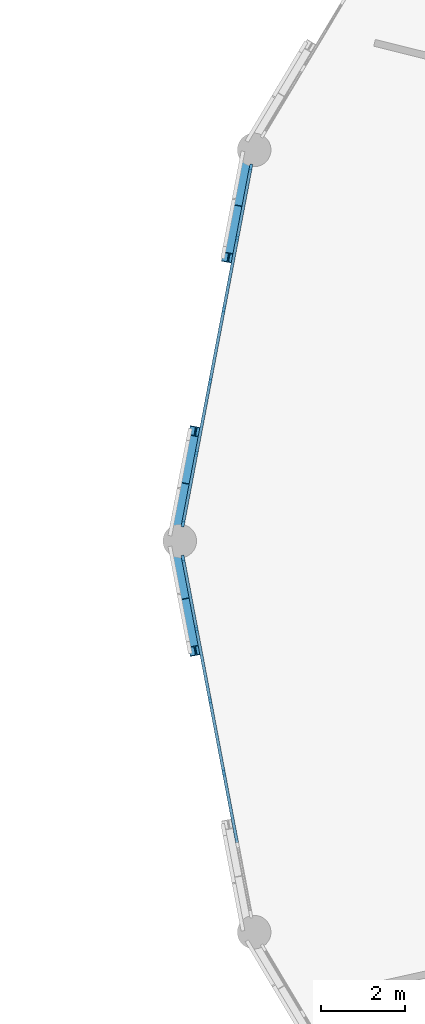
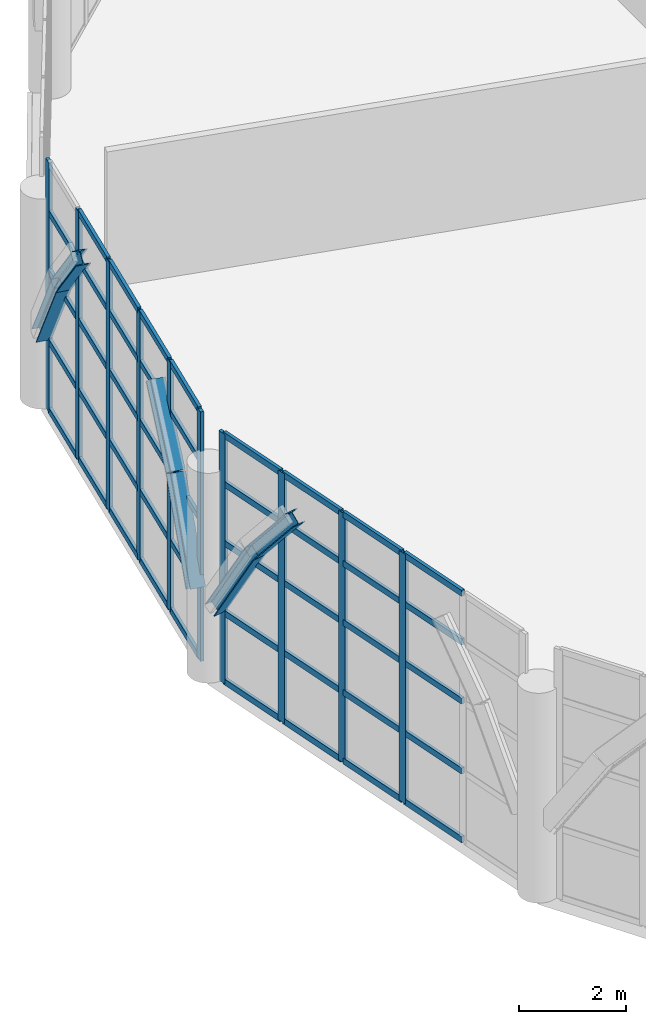
# One storey, part 35 of 109: 54 members, 6 beams, 2 elements without a shape of their own.
"""IFC4 building model written with IfcOpenShell, lengths in metres."""

import ifcopenshell
import ifcopenshell.guid

model = None  # the IFC model being written
_history = None  # IfcOwnerHistory: only IFC2X3 demands one
_inside = {}  # id of a spatial element -> (the spatial element, [elements in it])
_under = {}  # id of a project, library or spatial element -> (it, [spatial elements below it])
_declared = {}  # id of a project -> (the project, [libraries it declares])
_typed = {}  # id of a type object -> (the type object, [elements of that type])
_made_of = {}  # id of a material, layer set ... -> (it, [elements and type objects made of it])


def new_model(schema):
    """Start an empty IFC model of exactly this schema.

    Asked for "IFC4X3", IfcOpenShell would pick the latest addendum, in which some entities
    have other attributes; the version numbers below select the first issue.
    IFC2X3 requires an IfcOwnerHistory on every rooted entity: one is made here for all.
    """
    global model, _history
    if schema == "IFC4X3":
        model = ifcopenshell.file(schema_version=(4, 3, 0, 0))
    else:
        model = ifcopenshell.file(schema=schema)
    _inside.clear()
    _under.clear()
    _declared.clear()
    _typed.clear()
    _made_of.clear()
    _history = None
    if model.schema == "IFC2X3":
        org = make("IfcOrganization", Name="unknown")
        user = make(
            "IfcPersonAndOrganization",
            ThePerson=make("IfcPerson", FamilyName="unknown"),
            TheOrganization=org,
        )
        app = make(
            "IfcApplication",
            ApplicationDeveloper=org,
            Version="unknown",
            ApplicationFullName="unknown",
            ApplicationIdentifier="unknown",
        )
        _history = make(
            "IfcOwnerHistory",
            OwningUser=user,
            OwningApplication=app,
            ChangeAction="ADDED",
            CreationDate=0,
        )
    return model


def make(cls, **values):
    """One entity of the class cls with the attributes given. An attribute that is None is left unset."""
    return model.create_entity(
        cls, **{name: value for name, value in values.items() if value is not None}
    )


def rooted(cls, **values):
    """An entity with a GlobalId (a new one), such as an element, a storey or a relation."""
    return make(cls, GlobalId=ifcopenshell.guid.new(), OwnerHistory=_history, **values)


def si_unit(unit_type, name, prefix=None):
    """IfcSIUnit, for example si_unit("LENGTHUNIT", "METRE", prefix="MILLI")."""
    return make("IfcSIUnit", UnitType=unit_type, Prefix=prefix, Name=name)


def assignment(units):
    """IfcUnitAssignment: the units of a project."""
    return None if units is None else make("IfcUnitAssignment", Units=units)


def point(xyz):
    """IfcCartesianPoint."""
    return None if xyz is None else make("IfcCartesianPoint", Coordinates=xyz)


def direction(xyz):
    """IfcDirection."""
    return None if xyz is None else make("IfcDirection", DirectionRatios=xyz)


def frame(location, z_axis=None, x_axis=None):
    """IfcAxis2Placement3D, a coordinate frame: its origin and axes. An axis left out is left unset."""
    return make(
        "IfcAxis2Placement3D",
        Location=point(location),
        Axis=direction(z_axis),
        RefDirection=direction(x_axis),
    )


def frame_2d(location, x_axis=None):
    """IfcAxis2Placement2D, a coordinate frame in the plane: its origin and x axis."""
    return make(
        "IfcAxis2Placement2D", Location=point(location), RefDirection=direction(x_axis)
    )


def origin():
    """The frame at (0, 0, 0) with its axes left unset."""
    return frame((0.0, 0.0, 0.0))


def origin_2d():
    """The frame at (0, 0) in the plane with its x axis left unset."""
    return frame_2d((0.0, 0.0))


def place(relative_to, where):
    """IfcLocalPlacement: puts the frame where relative to a parent placement (None: the world)."""
    return make(
        "IfcLocalPlacement", PlacementRelTo=relative_to, RelativePlacement=where
    )


def context(
    kind, dimensions, precision=None, world=None, true_north=None, identifier=None
):
    """IfcGeometricRepresentationContext, for example the 3D "Model" context."""
    return make(
        "IfcGeometricRepresentationContext",
        ContextIdentifier=identifier,
        ContextType=kind,
        CoordinateSpaceDimension=dimensions,
        Precision=precision,
        WorldCoordinateSystem=world,
        TrueNorth=true_north,
    )


def subcontext(parent, identifier, kind, view, scale=None):
    """IfcGeometricRepresentationSubContext, for example "Body" below "Model"."""
    return make(
        "IfcGeometricRepresentationSubContext",
        ContextIdentifier=identifier,
        ContextType=kind,
        ParentContext=parent,
        TargetScale=scale,
        TargetView=view,
    )


def project(units=None, contexts=None):
    """IfcProject with its units and contexts."""
    return rooted(
        "IfcProject",
        Name="project",
        RepresentationContexts=contexts,
        UnitsInContext=assignment(units),
    )


def spatial(cls, under=None, at=None, **own):
    """A site, building, storey or space (cls), placed at a placement, below another one or the project."""
    s = rooted(cls, ObjectPlacement=at, **own)
    if under is not None:
        _under.setdefault(under.id(), (under, []))[1].append(s)
    return s


def profile(cls, at=None, kind="AREA", **sizes):
    """A parametric profile (cls). Its sizes go by their IFC names, for example OverallWidth=200.0."""
    return make(cls, ProfileType=kind, Position=at, **sizes)


def rectangle(**sizes):
    """IfcRectangleProfileDef."""
    return profile("IfcRectangleProfileDef", **sizes)


def i_section(**sizes):
    """IfcIShapeProfileDef."""
    return profile("IfcIShapeProfileDef", **sizes)


def extrude(swept, where, along, depth):
    """IfcExtrudedAreaSolid: the profile swept, set in the frame where, extruded along a direction by depth."""
    return make(
        "IfcExtrudedAreaSolid",
        SweptArea=swept,
        Position=where,
        ExtrudedDirection=direction(along),
        Depth=depth,
    )


def shape(context_of_items, identifier, shape_type, items):
    """IfcShapeRepresentation: the items that make up one representation, for example the "Body"."""
    return make(
        "IfcShapeRepresentation",
        ContextOfItems=context_of_items,
        RepresentationIdentifier=identifier,
        RepresentationType=shape_type,
        Items=items,
    )


def material(Name=None, Category=None):
    """IfcMaterial."""
    return make("IfcMaterial", Name=Name, Category=Category)


def layer(
    of_material, thickness, ventilated=None, Name=None, Category=None, Priority=None
):
    """IfcMaterialLayer: one layer of a wall or slab, of a material (None: an air gap)."""
    return make(
        "IfcMaterialLayer",
        Material=of_material,
        LayerThickness=thickness,
        IsVentilated=ventilated,
        Name=Name,
        Category=Category,
        Priority=Priority,
    )


def layer_set(layers, Name=None):
    """IfcMaterialLayerSet."""
    return make("IfcMaterialLayerSet", MaterialLayers=layers, LayerSetName=Name)


def material_profile(
    of_material, cross_section, Name=None, Category=None, Priority=None
):
    """IfcMaterialProfile: a cross section and its material."""
    return make(
        "IfcMaterialProfile",
        Name=Name,
        Material=of_material,
        Profile=cross_section,
        Priority=Priority,
        Category=Category,
    )


def profile_set(profiles, Name=None, composite=None):
    """IfcMaterialProfileSet."""
    return make(
        "IfcMaterialProfileSet",
        Name=Name,
        MaterialProfiles=profiles,
        CompositeProfile=composite,
    )


def made_of(thing, what):
    """Note that an element or type object is made of a material, layer set ...; save() writes the relation."""
    if what is not None:
        _made_of.setdefault(what.id(), (what, []))[1].append(thing)
    return thing


def type_object(cls, material=None, **own):
    """A type object (cls), such as IfcWallType, which elements share."""
    return made_of(rooted(cls, **own), material)


def element(
    cls,
    number,
    at=None,
    inside=None,
    cuts=None,
    type_object=None,
    material=None,
    context=None,
    identifier="Body",
    shape_type=None,
    held_by="IfcProductDefinitionShape",
    body=None,
    shapes=None,
    **own,
):
    """One element of the class cls, such as IfcWall. Its Tag is "e" and its number.

    at: its placement. inside: the storey or other place that contains it. cuts: it is an
    opening in that element (IfcRelVoidsElement). A single representation is given by context,
    identifier, shape_type and body (its items); several are given by shapes. held_by: the class
    of the entity that holds the representations. save() writes the other relations.
    """
    e = rooted(cls, Tag="e%d" % number, ObjectPlacement=at, **own)
    if body is not None:
        shapes = [shape(context, identifier, shape_type, body)]
    if shapes is not None:
        e.Representation = make(held_by, Representations=shapes)
    if inside is not None:
        _inside.setdefault(inside.id(), (inside, []))[1].append(e)
    if cuts is not None:
        rooted(
            "IfcRelVoidsElement", RelatingBuildingElement=cuts, RelatedOpeningElement=e
        )
    if type_object is not None:
        _typed.setdefault(type_object.id(), (type_object, []))[1].append(e)
    return made_of(e, material)


def aggregate(whole, parts):
    """IfcRelAggregates: a whole, such as a stair, and the parts it consists of."""
    return rooted("IfcRelAggregates", RelatingObject=whole, RelatedObjects=parts)


def save(model, path):
    """Write the relations noted so far, then the file.

    IfcRelAggregates (storeys below a building ...), IfcRelContainedInSpatialStructure (elements
    in a storey), IfcRelDefinesByType, IfcRelAssociatesMaterial and IfcRelDeclares: one each for
    every whole, place, type object, material and project.
    """
    for whole, parts in _under.values():
        aggregate(whole, parts)
    for where, things in _inside.values():
        rooted(
            "IfcRelContainedInSpatialStructure",
            RelatedElements=things,
            RelatingStructure=where,
        )
    for kind, things in _typed.values():
        rooted("IfcRelDefinesByType", RelatedObjects=things, RelatingType=kind)
    for what, things in _made_of.values():
        rooted("IfcRelAssociatesMaterial", RelatedObjects=things, RelatingMaterial=what)
    for by, libraries in _declared.values():
        rooted("IfcRelDeclares", RelatingContext=by, RelatedDefinitions=libraries)
    model.write(path)


model = new_model("IFC4")

# Units and contexts
model_context = context("Model", 3, precision=1e-05, world=origin(), true_north=direction((0.0, 1.0)))
body_context = subcontext(model_context, "Body", "Model", "MODEL_VIEW")
ifc_project = project(units=[si_unit("LENGTHUNIT", "METRE"), si_unit("AREAUNIT", "SQUARE_METRE"), si_unit("VOLUMEUNIT", "CUBIC_METRE"), si_unit("PLANEANGLEUNIT", "RADIAN"), si_unit("MASSUNIT", "GRAM", prefix="KILO")], contexts=[model_context])

# Site, building, storey
site_placement = place(None, origin())
site = spatial("IfcSite", under=ifc_project, at=site_placement, CompositionType="ELEMENT")
building_placement = place(site_placement, origin())
building = spatial("IfcBuilding", under=site, at=building_placement, Name="Kivolera Central Railway Station", CompositionType="ELEMENT")
storey_placement = place(building_placement, frame((0.0, 0.0, 9.60009765625)))
storey = spatial("IfcBuildingStorey", under=building, at=storey_placement, Name="L02", CompositionType="ELEMENT", Elevation=9.60009765625)

# Beams
ifc_material_1 = material(Name="Steel S355", Category="steel")
ifc_material_profile_1 = material_profile(ifc_material_1, i_section(OverallWidth=0.300048828125, OverallDepth=0.300048828125, WebThickness=0.010986328125, FlangeThickness=0.01904296875, FilletRadius=0.027099609375, at=origin_2d()), Name="HEB 300")
ifc_profile_set_1 = profile_set([ifc_material_profile_1], Name="Steel S355")
beam_type = type_object("IfcBeamType", Name="BM-LANT-ARCH", PredefinedType="SPANDREL", material=ifc_profile_set_1)
beam_1_placement = place(storey_placement, frame((13.587890625, 98.990966796875, 1.699951171875), z_axis=(-0.096063916114, -0.505767705137, 0.857304352293), x_axis=(0.982435829995, -0.18660075011, 0.0)))
element("IfcBeam", 1, at=beam_1_placement, inside=storey, type_object=beam_type, Name="Oval Lantern Structural Arch Rib 12.1", PredefinedType="SPANDREL", context=body_context, shape_type="SweptSolid", body=[
    extrude(i_section(OverallWidth=0.300048828125, OverallDepth=0.300048828125, WebThickness=0.010986328125, FlangeThickness=0.01904296875, FilletRadius=0.027099609375, at=origin_2d()), origin(), (0.0, 0.0, 1.0), 2.216064453125),
])
for number, where, z_axis, x_axis, name in (
    (2, (13.375, 97.8701171875, 3.599853515625), (-0.119952617801, -0.631126846872, 0.766348662581), (0.982413455361, -0.186718512004, 0.0), "Oval Lantern Structural Arch Rib 12.2"),
    (3, (12.375, 92.612060546875, 4.9599609375), (-0.119952617801, -0.631126846872, -0.766348662581), (0.982413455361, -0.186718512004, 0.0), "Oval Lantern Structural Arch Rib 12.5"),
):
    element("IfcBeam", number, at=place(storey_placement, frame(where, z_axis=z_axis, x_axis=x_axis)), inside=storey, type_object=beam_type, Name=name, PredefinedType="SPANDREL", context=body_context, shape_type="SweptSolid", body=[
        extrude(i_section(OverallWidth=0.300048828125, OverallDepth=0.300048828125, WebThickness=0.010986328125, FlangeThickness=0.01904296875, FilletRadius=0.027099609375, at=origin_2d()), origin(), (0.0, 0.0, 1.0), 1.77490234375),
    ])
for number, where, z_axis, x_axis, name in (
    (4, (12.162109375, 91.491943359375, 3.599853515625), (-0.096609614759, -0.505740868138, -0.857258862089), (0.982239178434, -0.187633142994, 0.0), "Oval Lantern Structural Arch Rib 12.6"),
    (5, (11.947998046875, 89.62890625, 1.699951171875), (0.096609614759, -0.505740868138, 0.857258862089), (0.982239178434, 0.187633142994, 0.0), "Oval Lantern Structural Arch Rib 13.1"),
):
    element("IfcBeam", number, at=place(storey_placement, frame(where, z_axis=z_axis, x_axis=x_axis)), inside=storey, type_object=beam_type, Name=name, PredefinedType="SPANDREL", context=body_context, shape_type="SweptSolid", body=[
        extrude(i_section(OverallWidth=0.300048828125, OverallDepth=0.300048828125, WebThickness=0.010986328125, FlangeThickness=0.01904296875, FilletRadius=0.027099609375, at=origin_2d()), origin(), (0.0, 0.0, 1.0), 2.21630859375),
    ])
beam_2_placement = place(storey_placement, frame((12.162109375, 88.508056640625, 3.599853515625), z_axis=(0.119952617801, -0.631126846872, 0.766348662581), x_axis=(0.982413455361, 0.186718512004, 0.0)))
element("IfcBeam", 6, at=beam_2_placement, inside=storey, type_object=beam_type, Name="Oval Lantern Structural Arch Rib 13.2", PredefinedType="SPANDREL", context=body_context, shape_type="SweptSolid", body=[
    extrude(i_section(OverallWidth=0.300048828125, OverallDepth=0.300048828125, WebThickness=0.010986328125, FlangeThickness=0.01904296875, FilletRadius=0.027099609375, at=origin_2d()), origin(), (0.0, 0.0, 1.0), 1.77490234375),
])

# Curtain wall, members
ifc_material_2 = material(Name="Anodised aluminium", Category="aluminium")
ifc_layer = layer(ifc_material_2, 0.179931640625, Name="Anodised aluminium")
ifc_layer_set = layer_set([ifc_layer], Name="Anodised aluminium")
curtain_wall_type = type_object("IfcCurtainWallType", Name="CW-SYS-15", PredefinedType="NOTDEFINED", material=ifc_layer_set)
curtain_wall_1_placement = place(storey_placement, origin())
curtain_wall_1 = element("IfcCurtainWall", 7, at=curtain_wall_1_placement, inside=storey, type_object=curtain_wall_type, Name="L02 Curtain Wall CW-L02-OVL-11", PredefinedType="NOTDEFINED")
ifc_material_profile_2 = material_profile(ifc_material_2, rectangle(XDim=0.070068359375, YDim=0.179931640625, at=origin_2d()), Name="ALU MULL 70x180")
ifc_profile_set_2 = profile_set([ifc_material_profile_2], Name="Anodised aluminium")
member_type_1 = type_object("IfcMemberType", Name="CWM-MUL-1", PredefinedType="MULLION", material=ifc_profile_set_2)
member_1_placement = place(storey_placement, frame((12.08154296875, 90.427490234375, -0.005126953125), z_axis=(0.0, 0.0, 1.0), x_axis=(-0.982401003624, 0.186784014515, 0.0)))
member_1 = element("IfcMember", 8, at=member_1_placement, type_object=member_type_1, Name="CW-15 mullion 1", PredefinedType="MULLION", context=body_context, shape_type="SweptSolid", body=[
    extrude(rectangle(XDim=0.070068359375, YDim=0.179931640625, at=origin_2d()), origin(), (0.0, 0.0, 1.0), 5.705078125),
])
member_2_placement = place(storey_placement, frame((12.3994140625, 92.09912109375, -0.005126953125), z_axis=(0.0, 0.0, 1.0), x_axis=(-0.982401003624, 0.186784014515, 0.0)))
member_2 = element("IfcMember", 9, at=member_2_placement, type_object=member_type_1, Name="CW-15 mullion 2", PredefinedType="MULLION", context=body_context, shape_type="SweptSolid", body=[
    extrude(rectangle(XDim=0.070068359375, YDim=0.179931640625, at=origin_2d()), origin(), (0.0, 0.0, 1.0), 5.705078125),
])
member_3_placement = place(storey_placement, frame((12.723876953125, 93.805419921875, -0.005126953125), z_axis=(0.0, 0.0, 1.0), x_axis=(-0.982401003624, 0.186784014515, 0.0)))
member_3 = element("IfcMember", 10, at=member_3_placement, type_object=member_type_1, Name="CW-15 mullion 3", PredefinedType="MULLION", context=body_context, shape_type="SweptSolid", body=[
    extrude(rectangle(XDim=0.070068359375, YDim=0.179931640625, at=origin_2d()), origin(), (0.0, 0.0, 1.0), 5.705078125),
])
member_4_placement = place(storey_placement, frame((13.048095703125, 95.51171875, -0.005126953125), z_axis=(0.0, 0.0, 1.0), x_axis=(-0.982401003624, 0.186784014515, 0.0)))
member_4 = element("IfcMember", 11, at=member_4_placement, type_object=member_type_1, Name="CW-15 mullion 4", PredefinedType="MULLION", context=body_context, shape_type="SweptSolid", body=[
    extrude(rectangle(XDim=0.070068359375, YDim=0.179931640625, at=origin_2d()), origin(), (0.0, 0.0, 1.0), 5.705078125),
])
member_5_placement = place(storey_placement, frame((13.37255859375, 97.2177734375, -0.005126953125), z_axis=(0.0, 0.0, 1.0), x_axis=(-0.982401003624, 0.186784014515, 0.0)))
member_5 = element("IfcMember", 12, at=member_5_placement, type_object=member_type_1, Name="CW-15 mullion 5", PredefinedType="MULLION", context=body_context, shape_type="SweptSolid", body=[
    extrude(rectangle(XDim=0.070068359375, YDim=0.179931640625, at=origin_2d()), origin(), (0.0, 0.0, 1.0), 5.705078125),
])
member_6_placement = place(storey_placement, frame((13.6904296875, 98.8896484375, -0.005126953125), z_axis=(0.0, 0.0, 1.0), x_axis=(-0.982401003624, 0.186784014515, 0.0)))
member_6 = element("IfcMember", 13, at=member_6_placement, type_object=member_type_1, Name="CW-15 mullion 6", PredefinedType="MULLION", context=body_context, shape_type="SweptSolid", body=[
    extrude(rectangle(XDim=0.070068359375, YDim=0.179931640625, at=origin_2d()), origin(), (0.0, 0.0, 1.0), 5.705078125),
])

curtain_wall_2_placement = place(storey_placement, origin())
curtain_wall_2 = element("IfcCurtainWall", 14, at=curtain_wall_2_placement, inside=storey, type_object=curtain_wall_type, Name="L02 Curtain Wall CW-L02-OVL-12", PredefinedType="NOTDEFINED")
member_7_placement = place(storey_placement, frame((13.048095703125, 84.48828125, -0.005126953125), z_axis=(0.0, 0.0, 1.0), x_axis=(-0.982401003624, -0.186784014515, 0.0)))
member_7 = element("IfcMember", 15, at=member_7_placement, type_object=member_type_1, Name="CW-15 mullion 3", PredefinedType="MULLION", context=body_context, shape_type="SweptSolid", body=[
    extrude(rectangle(XDim=0.070068359375, YDim=0.179931640625, at=origin_2d()), origin(), (0.0, 0.0, 1.0), 5.705078125),
])
member_8_placement = place(storey_placement, frame((12.723876953125, 86.194580078125, -0.005126953125), z_axis=(0.0, 0.0, 1.0), x_axis=(-0.982401003624, -0.186784014515, 0.0)))
member_8 = element("IfcMember", 16, at=member_8_placement, type_object=member_type_1, Name="CW-15 mullion 4", PredefinedType="MULLION", context=body_context, shape_type="SweptSolid", body=[
    extrude(rectangle(XDim=0.070068359375, YDim=0.179931640625, at=origin_2d()), origin(), (0.0, 0.0, 1.0), 5.705078125),
])
member_9_placement = place(storey_placement, frame((12.3994140625, 87.90087890625, -0.005126953125), z_axis=(0.0, 0.0, 1.0), x_axis=(-0.982401003624, -0.186784014515, 0.0)))
member_9 = element("IfcMember", 17, at=member_9_placement, type_object=member_type_1, Name="CW-15 mullion 5", PredefinedType="MULLION", context=body_context, shape_type="SweptSolid", body=[
    extrude(rectangle(XDim=0.070068359375, YDim=0.179931640625, at=origin_2d()), origin(), (0.0, 0.0, 1.0), 5.705078125),
])
member_10_placement = place(storey_placement, frame((12.08154296875, 89.572509765625, -0.005126953125), z_axis=(0.0, 0.0, 1.0), x_axis=(-0.982401003624, -0.186784014515, 0.0)))
member_10 = element("IfcMember", 18, at=member_10_placement, type_object=member_type_1, Name="CW-15 mullion 6", PredefinedType="MULLION", context=body_context, shape_type="SweptSolid", body=[
    extrude(rectangle(XDim=0.070068359375, YDim=0.179931640625, at=origin_2d()), origin(), (0.0, 0.0, 1.0), 5.705078125),
])

# Member
ifc_material_profile_3 = material_profile(ifc_material_2, rectangle(XDim=0.070068359375, YDim=0.139892578125, at=origin_2d()), Name="ALU TRAN 70x140")
ifc_profile_set_3 = profile_set([ifc_material_profile_3], Name="Anodised aluminium")
member_type_2 = type_object("IfcMemberType", Name="CWM-TRN-1", PredefinedType="USERDEFINED", material=ifc_profile_set_3)
member_11_placement = place(storey_placement, frame((12.088134765625, 90.461669921875, 0.034912109375), z_axis=(0.186727073043, 0.982411828203, 0.0), x_axis=(-0.982411828203, 0.186727073043, 0.0)))
member_11 = element("IfcMember", 19, at=member_11_placement, type_object=member_type_2, Name="CW-15 transom 1.1", ObjectType="TRANSOM", PredefinedType="USERDEFINED", context=body_context, shape_type="SweptSolid", body=[
    extrude(rectangle(XDim=0.070068359375, YDim=0.139892578125, at=origin_2d()), origin(), (0.0, 0.0, 1.0), 1.6318359375),
])

member_12_placement = place(storey_placement, frame((12.088134765625, 90.461669921875, 1.599853515625), z_axis=(0.186727073043, 0.982411828203, 0.0), x_axis=(-0.982411828203, 0.186727073043, 0.0)))
member_12 = element("IfcMember", 20, at=member_12_placement, type_object=member_type_2, Name="CW-15 transom 1.2", ObjectType="TRANSOM", PredefinedType="USERDEFINED", context=body_context, shape_type="SweptSolid", body=[
    extrude(rectangle(XDim=0.070068359375, YDim=0.139892578125, at=origin_2d()), origin(), (0.0, 0.0, 1.0), 1.6318359375),
])

member_13_placement = place(storey_placement, frame((12.088134765625, 90.461669921875, 3.199951171875), z_axis=(0.186727073043, 0.982411828203, 0.0), x_axis=(-0.982411828203, 0.186727073043, 0.0)))
member_13 = element("IfcMember", 21, at=member_13_placement, type_object=member_type_2, Name="CW-15 transom 1.3", ObjectType="TRANSOM", PredefinedType="USERDEFINED", context=body_context, shape_type="SweptSolid", body=[
    extrude(rectangle(XDim=0.070068359375, YDim=0.139892578125, at=origin_2d()), origin(), (0.0, 0.0, 1.0), 1.6318359375),
])

member_14_placement = place(storey_placement, frame((12.088134765625, 90.461669921875, 4.5498046875), z_axis=(0.186727073043, 0.982411828203, 0.0), x_axis=(-0.982411828203, 0.186727073043, 0.0)))
member_14 = element("IfcMember", 22, at=member_14_placement, type_object=member_type_2, Name="CW-15 transom 1.4", ObjectType="TRANSOM", PredefinedType="USERDEFINED", context=body_context, shape_type="SweptSolid", body=[
    extrude(rectangle(XDim=0.070068359375, YDim=0.139892578125, at=origin_2d()), origin(), (0.0, 0.0, 1.0), 1.6318359375),
])

member_15_placement = place(storey_placement, frame((12.088134765625, 90.461669921875, 5.664794921875), z_axis=(0.186727073043, 0.982411828203, 0.0), x_axis=(-0.982411828203, 0.186727073043, 0.0)))
member_15 = element("IfcMember", 23, at=member_15_placement, type_object=member_type_2, Name="CW-15 transom 1.5", ObjectType="TRANSOM", PredefinedType="USERDEFINED", context=body_context, shape_type="SweptSolid", body=[
    extrude(rectangle(XDim=0.070068359375, YDim=0.139892578125, at=origin_2d()), origin(), (0.0, 0.0, 1.0), 1.6318359375),
])

member_16_placement = place(storey_placement, frame((12.406005859375, 92.133544921875, 0.034912109375), z_axis=(0.186755363721, 0.98240645057, 0.0), x_axis=(-0.98240645057, 0.186755363721, 0.0)))
member_16 = element("IfcMember", 24, at=member_16_placement, type_object=member_type_2, Name="CW-15 transom 2.1", ObjectType="TRANSOM", PredefinedType="USERDEFINED", context=body_context, shape_type="SweptSolid", body=[
    extrude(rectangle(XDim=0.070068359375, YDim=0.139892578125, at=origin_2d()), origin(), (0.0, 0.0, 1.0), 1.666748046875),
])

member_17_placement = place(storey_placement, frame((12.406005859375, 92.133544921875, 1.599853515625), z_axis=(0.186755363721, 0.98240645057, 0.0), x_axis=(-0.98240645057, 0.186755363721, 0.0)))
member_17 = element("IfcMember", 25, at=member_17_placement, type_object=member_type_2, Name="CW-15 transom 2.2", ObjectType="TRANSOM", PredefinedType="USERDEFINED", context=body_context, shape_type="SweptSolid", body=[
    extrude(rectangle(XDim=0.070068359375, YDim=0.139892578125, at=origin_2d()), origin(), (0.0, 0.0, 1.0), 1.666748046875),
])

member_18_placement = place(storey_placement, frame((12.406005859375, 92.133544921875, 3.199951171875), z_axis=(0.186755363721, 0.98240645057, 0.0), x_axis=(-0.98240645057, 0.186755363721, 0.0)))
member_18 = element("IfcMember", 26, at=member_18_placement, type_object=member_type_2, Name="CW-15 transom 2.3", ObjectType="TRANSOM", PredefinedType="USERDEFINED", context=body_context, shape_type="SweptSolid", body=[
    extrude(rectangle(XDim=0.070068359375, YDim=0.139892578125, at=origin_2d()), origin(), (0.0, 0.0, 1.0), 1.666748046875),
])

member_19_placement = place(storey_placement, frame((12.406005859375, 92.133544921875, 4.5498046875), z_axis=(0.186755363721, 0.98240645057, 0.0), x_axis=(-0.98240645057, 0.186755363721, 0.0)))
member_19 = element("IfcMember", 27, at=member_19_placement, type_object=member_type_2, Name="CW-15 transom 2.4", ObjectType="TRANSOM", PredefinedType="USERDEFINED", context=body_context, shape_type="SweptSolid", body=[
    extrude(rectangle(XDim=0.070068359375, YDim=0.139892578125, at=origin_2d()), origin(), (0.0, 0.0, 1.0), 1.666748046875),
])

member_20_placement = place(storey_placement, frame((12.406005859375, 92.133544921875, 5.664794921875), z_axis=(0.186755363721, 0.98240645057, 0.0), x_axis=(-0.98240645057, 0.186755363721, 0.0)))
member_20 = element("IfcMember", 28, at=member_20_placement, type_object=member_type_2, Name="CW-15 transom 2.5", ObjectType="TRANSOM", PredefinedType="USERDEFINED", context=body_context, shape_type="SweptSolid", body=[
    extrude(rectangle(XDim=0.070068359375, YDim=0.139892578125, at=origin_2d()), origin(), (0.0, 0.0, 1.0), 1.666748046875),
])

member_21_placement = place(storey_placement, frame((12.730224609375, 93.83984375, 0.034912109375), z_axis=(0.18689672403, 0.982379567452, 0.0), x_axis=(-0.982379567452, 0.18689672403, 0.0)))
member_21 = element("IfcMember", 29, at=member_21_placement, type_object=member_type_2, Name="CW-15 transom 3.1", ObjectType="TRANSOM", PredefinedType="USERDEFINED", context=body_context, shape_type="SweptSolid", body=[
    extrude(rectangle(XDim=0.070068359375, YDim=0.139892578125, at=origin_2d()), origin(), (0.0, 0.0, 1.0), 1.666748046875),
])

member_22_placement = place(storey_placement, frame((12.730224609375, 93.83984375, 1.599853515625), z_axis=(0.18689672403, 0.982379567452, 0.0), x_axis=(-0.982379567452, 0.18689672403, 0.0)))
member_22 = element("IfcMember", 30, at=member_22_placement, type_object=member_type_2, Name="CW-15 transom 3.2", ObjectType="TRANSOM", PredefinedType="USERDEFINED", context=body_context, shape_type="SweptSolid", body=[
    extrude(rectangle(XDim=0.070068359375, YDim=0.139892578125, at=origin_2d()), origin(), (0.0, 0.0, 1.0), 1.666748046875),
])

member_23_placement = place(storey_placement, frame((12.730224609375, 93.83984375, 3.199951171875), z_axis=(0.18689672403, 0.982379567452, 0.0), x_axis=(-0.982379567452, 0.18689672403, 0.0)))
member_23 = element("IfcMember", 31, at=member_23_placement, type_object=member_type_2, Name="CW-15 transom 3.3", ObjectType="TRANSOM", PredefinedType="USERDEFINED", context=body_context, shape_type="SweptSolid", body=[
    extrude(rectangle(XDim=0.070068359375, YDim=0.139892578125, at=origin_2d()), origin(), (0.0, 0.0, 1.0), 1.666748046875),
])

member_24_placement = place(storey_placement, frame((12.730224609375, 93.83984375, 4.5498046875), z_axis=(0.18689672403, 0.982379567452, 0.0), x_axis=(-0.982379567452, 0.18689672403, 0.0)))
member_24 = element("IfcMember", 32, at=member_24_placement, type_object=member_type_2, Name="CW-15 transom 3.4", ObjectType="TRANSOM", PredefinedType="USERDEFINED", context=body_context, shape_type="SweptSolid", body=[
    extrude(rectangle(XDim=0.070068359375, YDim=0.139892578125, at=origin_2d()), origin(), (0.0, 0.0, 1.0), 1.666748046875),
])

member_25_placement = place(storey_placement, frame((12.730224609375, 93.83984375, 5.664794921875), z_axis=(0.18689672403, 0.982379567452, 0.0), x_axis=(-0.982379567452, 0.18689672403, 0.0)))
member_25 = element("IfcMember", 33, at=member_25_placement, type_object=member_type_2, Name="CW-15 transom 3.5", ObjectType="TRANSOM", PredefinedType="USERDEFINED", context=body_context, shape_type="SweptSolid", body=[
    extrude(rectangle(XDim=0.070068359375, YDim=0.139892578125, at=origin_2d()), origin(), (0.0, 0.0, 1.0), 1.666748046875),
])

member_26_placement = place(storey_placement, frame((13.0546875, 95.5458984375, 0.034912109375), z_axis=(0.186755363721, 0.98240645057, 0.0), x_axis=(-0.98240645057, 0.186755363721, 0.0)))
member_26 = element("IfcMember", 34, at=member_26_placement, type_object=member_type_2, Name="CW-15 transom 4.1", ObjectType="TRANSOM", PredefinedType="USERDEFINED", context=body_context, shape_type="SweptSolid", body=[
    extrude(rectangle(XDim=0.070068359375, YDim=0.139892578125, at=origin_2d()), origin(), (0.0, 0.0, 1.0), 1.666748046875),
])

member_27_placement = place(storey_placement, frame((13.0546875, 95.5458984375, 1.599853515625), z_axis=(0.186755363721, 0.98240645057, 0.0), x_axis=(-0.98240645057, 0.186755363721, 0.0)))
member_27 = element("IfcMember", 35, at=member_27_placement, type_object=member_type_2, Name="CW-15 transom 4.2", ObjectType="TRANSOM", PredefinedType="USERDEFINED", context=body_context, shape_type="SweptSolid", body=[
    extrude(rectangle(XDim=0.070068359375, YDim=0.139892578125, at=origin_2d()), origin(), (0.0, 0.0, 1.0), 1.666748046875),
])

member_28_placement = place(storey_placement, frame((13.0546875, 95.5458984375, 3.199951171875), z_axis=(0.186755363721, 0.98240645057, 0.0), x_axis=(-0.98240645057, 0.186755363721, 0.0)))
member_28 = element("IfcMember", 36, at=member_28_placement, type_object=member_type_2, Name="CW-15 transom 4.3", ObjectType="TRANSOM", PredefinedType="USERDEFINED", context=body_context, shape_type="SweptSolid", body=[
    extrude(rectangle(XDim=0.070068359375, YDim=0.139892578125, at=origin_2d()), origin(), (0.0, 0.0, 1.0), 1.666748046875),
])

member_29_placement = place(storey_placement, frame((13.0546875, 95.5458984375, 4.5498046875), z_axis=(0.186755363721, 0.98240645057, 0.0), x_axis=(-0.98240645057, 0.186755363721, 0.0)))
member_29 = element("IfcMember", 37, at=member_29_placement, type_object=member_type_2, Name="CW-15 transom 4.4", ObjectType="TRANSOM", PredefinedType="USERDEFINED", context=body_context, shape_type="SweptSolid", body=[
    extrude(rectangle(XDim=0.070068359375, YDim=0.139892578125, at=origin_2d()), origin(), (0.0, 0.0, 1.0), 1.666748046875),
])

member_30_placement = place(storey_placement, frame((13.0546875, 95.5458984375, 5.664794921875), z_axis=(0.186755363721, 0.98240645057, 0.0), x_axis=(-0.98240645057, 0.186755363721, 0.0)))
member_30 = element("IfcMember", 38, at=member_30_placement, type_object=member_type_2, Name="CW-15 transom 4.5", ObjectType="TRANSOM", PredefinedType="USERDEFINED", context=body_context, shape_type="SweptSolid", body=[
    extrude(rectangle(XDim=0.070068359375, YDim=0.139892578125, at=origin_2d()), origin(), (0.0, 0.0, 1.0), 1.666748046875),
])

member_31_placement = place(storey_placement, frame((13.379150390625, 97.252197265625, 0.034912109375), z_axis=(0.186727073043, 0.982411828203, 0.0), x_axis=(-0.982411828203, 0.186727073043, 0.0)))
member_31 = element("IfcMember", 39, at=member_31_placement, type_object=member_type_2, Name="CW-15 transom 5.1", ObjectType="TRANSOM", PredefinedType="USERDEFINED", context=body_context, shape_type="SweptSolid", body=[
    extrude(rectangle(XDim=0.070068359375, YDim=0.139892578125, at=origin_2d()), origin(), (0.0, 0.0, 1.0), 1.6318359375),
])

member_32_placement = place(storey_placement, frame((13.379150390625, 97.252197265625, 1.599853515625), z_axis=(0.186727073043, 0.982411828203, 0.0), x_axis=(-0.982411828203, 0.186727073043, 0.0)))
member_32 = element("IfcMember", 40, at=member_32_placement, type_object=member_type_2, Name="CW-15 transom 5.2", ObjectType="TRANSOM", PredefinedType="USERDEFINED", context=body_context, shape_type="SweptSolid", body=[
    extrude(rectangle(XDim=0.070068359375, YDim=0.139892578125, at=origin_2d()), origin(), (0.0, 0.0, 1.0), 1.6318359375),
])

member_33_placement = place(storey_placement, frame((13.379150390625, 97.252197265625, 3.199951171875), z_axis=(0.186727073043, 0.982411828203, 0.0), x_axis=(-0.982411828203, 0.186727073043, 0.0)))
member_33 = element("IfcMember", 41, at=member_33_placement, type_object=member_type_2, Name="CW-15 transom 5.3", ObjectType="TRANSOM", PredefinedType="USERDEFINED", context=body_context, shape_type="SweptSolid", body=[
    extrude(rectangle(XDim=0.070068359375, YDim=0.139892578125, at=origin_2d()), origin(), (0.0, 0.0, 1.0), 1.6318359375),
])

member_34_placement = place(storey_placement, frame((13.379150390625, 97.252197265625, 4.5498046875), z_axis=(0.186727073043, 0.982411828203, 0.0), x_axis=(-0.982411828203, 0.186727073043, 0.0)))
member_34 = element("IfcMember", 42, at=member_34_placement, type_object=member_type_2, Name="CW-15 transom 5.4", ObjectType="TRANSOM", PredefinedType="USERDEFINED", context=body_context, shape_type="SweptSolid", body=[
    extrude(rectangle(XDim=0.070068359375, YDim=0.139892578125, at=origin_2d()), origin(), (0.0, 0.0, 1.0), 1.6318359375),
])

aggregate(curtain_wall_1, [member_1, member_2, member_3, member_4, member_5, member_6, member_11, member_12, member_13, member_14, member_15, member_16, member_17, member_18, member_19, member_20, member_21, member_22, member_23, member_24, member_25, member_26, member_27, member_28, member_29, member_30, member_31, member_32, member_33, member_34])

member_35_placement = place(storey_placement, frame((13.365966796875, 82.816650390625, 0.034912109375), z_axis=(-0.186755363721, 0.98240645057, 0.0), x_axis=(-0.98240645057, -0.186755363721, 0.0)))
member_35 = element("IfcMember", 43, at=member_35_placement, type_object=member_type_2, Name="CW-15 transom 2.1", ObjectType="TRANSOM", PredefinedType="USERDEFINED", context=body_context, shape_type="SweptSolid", body=[
    extrude(rectangle(XDim=0.070068359375, YDim=0.139892578125, at=origin_2d()), origin(), (0.0, 0.0, 1.0), 1.666748046875),
])

member_36_placement = place(storey_placement, frame((13.365966796875, 82.816650390625, 1.599853515625), z_axis=(-0.186755363721, 0.98240645057, 0.0), x_axis=(-0.98240645057, -0.186755363721, 0.0)))
member_36 = element("IfcMember", 44, at=member_36_placement, type_object=member_type_2, Name="CW-15 transom 2.2", ObjectType="TRANSOM", PredefinedType="USERDEFINED", context=body_context, shape_type="SweptSolid", body=[
    extrude(rectangle(XDim=0.070068359375, YDim=0.139892578125, at=origin_2d()), origin(), (0.0, 0.0, 1.0), 1.666748046875),
])

member_37_placement = place(storey_placement, frame((13.365966796875, 82.816650390625, 3.199951171875), z_axis=(-0.186755363721, 0.98240645057, 0.0), x_axis=(-0.98240645057, -0.186755363721, 0.0)))
member_37 = element("IfcMember", 45, at=member_37_placement, type_object=member_type_2, Name="CW-15 transom 2.3", ObjectType="TRANSOM", PredefinedType="USERDEFINED", context=body_context, shape_type="SweptSolid", body=[
    extrude(rectangle(XDim=0.070068359375, YDim=0.139892578125, at=origin_2d()), origin(), (0.0, 0.0, 1.0), 1.666748046875),
])

member_38_placement = place(storey_placement, frame((13.365966796875, 82.816650390625, 4.5498046875), z_axis=(-0.186755363721, 0.98240645057, 0.0), x_axis=(-0.98240645057, -0.186755363721, 0.0)))
member_38 = element("IfcMember", 46, at=member_38_placement, type_object=member_type_2, Name="CW-15 transom 2.4", ObjectType="TRANSOM", PredefinedType="USERDEFINED", context=body_context, shape_type="SweptSolid", body=[
    extrude(rectangle(XDim=0.070068359375, YDim=0.139892578125, at=origin_2d()), origin(), (0.0, 0.0, 1.0), 1.666748046875),
])

member_39_placement = place(storey_placement, frame((13.365966796875, 82.816650390625, 5.664794921875), z_axis=(-0.186755363721, 0.98240645057, 0.0), x_axis=(-0.98240645057, -0.186755363721, 0.0)))
member_39 = element("IfcMember", 47, at=member_39_placement, type_object=member_type_2, Name="CW-15 transom 2.5", ObjectType="TRANSOM", PredefinedType="USERDEFINED", context=body_context, shape_type="SweptSolid", body=[
    extrude(rectangle(XDim=0.070068359375, YDim=0.139892578125, at=origin_2d()), origin(), (0.0, 0.0, 1.0), 1.666748046875),
])

member_40_placement = place(storey_placement, frame((13.041748046875, 84.522705078125, 0.034912109375), z_axis=(-0.18689672403, 0.982379567452, 0.0), x_axis=(-0.982379567452, -0.18689672403, 0.0)))
member_40 = element("IfcMember", 48, at=member_40_placement, type_object=member_type_2, Name="CW-15 transom 3.1", ObjectType="TRANSOM", PredefinedType="USERDEFINED", context=body_context, shape_type="SweptSolid", body=[
    extrude(rectangle(XDim=0.070068359375, YDim=0.139892578125, at=origin_2d()), origin(), (0.0, 0.0, 1.0), 1.666748046875),
])

member_41_placement = place(storey_placement, frame((13.041748046875, 84.522705078125, 1.599853515625), z_axis=(-0.18689672403, 0.982379567452, 0.0), x_axis=(-0.982379567452, -0.18689672403, 0.0)))
member_41 = element("IfcMember", 49, at=member_41_placement, type_object=member_type_2, Name="CW-15 transom 3.2", ObjectType="TRANSOM", PredefinedType="USERDEFINED", context=body_context, shape_type="SweptSolid", body=[
    extrude(rectangle(XDim=0.070068359375, YDim=0.139892578125, at=origin_2d()), origin(), (0.0, 0.0, 1.0), 1.666748046875),
])

member_42_placement = place(storey_placement, frame((13.041748046875, 84.522705078125, 3.199951171875), z_axis=(-0.18689672403, 0.982379567452, 0.0), x_axis=(-0.982379567452, -0.18689672403, 0.0)))
member_42 = element("IfcMember", 50, at=member_42_placement, type_object=member_type_2, Name="CW-15 transom 3.3", ObjectType="TRANSOM", PredefinedType="USERDEFINED", context=body_context, shape_type="SweptSolid", body=[
    extrude(rectangle(XDim=0.070068359375, YDim=0.139892578125, at=origin_2d()), origin(), (0.0, 0.0, 1.0), 1.666748046875),
])

member_43_placement = place(storey_placement, frame((13.041748046875, 84.522705078125, 4.5498046875), z_axis=(-0.18689672403, 0.982379567452, 0.0), x_axis=(-0.982379567452, -0.18689672403, 0.0)))
member_43 = element("IfcMember", 51, at=member_43_placement, type_object=member_type_2, Name="CW-15 transom 3.4", ObjectType="TRANSOM", PredefinedType="USERDEFINED", context=body_context, shape_type="SweptSolid", body=[
    extrude(rectangle(XDim=0.070068359375, YDim=0.139892578125, at=origin_2d()), origin(), (0.0, 0.0, 1.0), 1.666748046875),
])

member_44_placement = place(storey_placement, frame((13.041748046875, 84.522705078125, 5.664794921875), z_axis=(-0.18689672403, 0.982379567452, 0.0), x_axis=(-0.982379567452, -0.18689672403, 0.0)))
member_44 = element("IfcMember", 52, at=member_44_placement, type_object=member_type_2, Name="CW-15 transom 3.5", ObjectType="TRANSOM", PredefinedType="USERDEFINED", context=body_context, shape_type="SweptSolid", body=[
    extrude(rectangle(XDim=0.070068359375, YDim=0.139892578125, at=origin_2d()), origin(), (0.0, 0.0, 1.0), 1.666748046875),
])

member_45_placement = place(storey_placement, frame((12.71728515625, 86.22900390625, 0.034912109375), z_axis=(-0.186755363721, 0.98240645057, 0.0), x_axis=(-0.98240645057, -0.186755363721, 0.0)))
member_45 = element("IfcMember", 53, at=member_45_placement, type_object=member_type_2, Name="CW-15 transom 4.1", ObjectType="TRANSOM", PredefinedType="USERDEFINED", context=body_context, shape_type="SweptSolid", body=[
    extrude(rectangle(XDim=0.070068359375, YDim=0.139892578125, at=origin_2d()), origin(), (0.0, 0.0, 1.0), 1.666748046875),
])

member_46_placement = place(storey_placement, frame((12.71728515625, 86.22900390625, 1.599853515625), z_axis=(-0.186755363721, 0.98240645057, 0.0), x_axis=(-0.98240645057, -0.186755363721, 0.0)))
member_46 = element("IfcMember", 54, at=member_46_placement, type_object=member_type_2, Name="CW-15 transom 4.2", ObjectType="TRANSOM", PredefinedType="USERDEFINED", context=body_context, shape_type="SweptSolid", body=[
    extrude(rectangle(XDim=0.070068359375, YDim=0.139892578125, at=origin_2d()), origin(), (0.0, 0.0, 1.0), 1.666748046875),
])

member_47_placement = place(storey_placement, frame((12.71728515625, 86.22900390625, 3.199951171875), z_axis=(-0.186755363721, 0.98240645057, 0.0), x_axis=(-0.98240645057, -0.186755363721, 0.0)))
member_47 = element("IfcMember", 55, at=member_47_placement, type_object=member_type_2, Name="CW-15 transom 4.3", ObjectType="TRANSOM", PredefinedType="USERDEFINED", context=body_context, shape_type="SweptSolid", body=[
    extrude(rectangle(XDim=0.070068359375, YDim=0.139892578125, at=origin_2d()), origin(), (0.0, 0.0, 1.0), 1.666748046875),
])

member_48_placement = place(storey_placement, frame((12.71728515625, 86.22900390625, 4.5498046875), z_axis=(-0.186755363721, 0.98240645057, 0.0), x_axis=(-0.98240645057, -0.186755363721, 0.0)))
member_48 = element("IfcMember", 56, at=member_48_placement, type_object=member_type_2, Name="CW-15 transom 4.4", ObjectType="TRANSOM", PredefinedType="USERDEFINED", context=body_context, shape_type="SweptSolid", body=[
    extrude(rectangle(XDim=0.070068359375, YDim=0.139892578125, at=origin_2d()), origin(), (0.0, 0.0, 1.0), 1.666748046875),
])

member_49_placement = place(storey_placement, frame((12.71728515625, 86.22900390625, 5.664794921875), z_axis=(-0.186755363721, 0.98240645057, 0.0), x_axis=(-0.98240645057, -0.186755363721, 0.0)))
member_49 = element("IfcMember", 57, at=member_49_placement, type_object=member_type_2, Name="CW-15 transom 4.5", ObjectType="TRANSOM", PredefinedType="USERDEFINED", context=body_context, shape_type="SweptSolid", body=[
    extrude(rectangle(XDim=0.070068359375, YDim=0.139892578125, at=origin_2d()), origin(), (0.0, 0.0, 1.0), 1.666748046875),
])

member_50_placement = place(storey_placement, frame((12.392822265625, 87.935302734375, 0.034912109375), z_axis=(-0.186727073043, 0.982411828203, 0.0), x_axis=(-0.982411828203, -0.186727073043, 0.0)))
member_50 = element("IfcMember", 58, at=member_50_placement, type_object=member_type_2, Name="CW-15 transom 5.1", ObjectType="TRANSOM", PredefinedType="USERDEFINED", context=body_context, shape_type="SweptSolid", body=[
    extrude(rectangle(XDim=0.070068359375, YDim=0.139892578125, at=origin_2d()), origin(), (0.0, 0.0, 1.0), 1.6318359375),
])

member_51_placement = place(storey_placement, frame((12.392822265625, 87.935302734375, 1.599853515625), z_axis=(-0.186727073043, 0.982411828203, 0.0), x_axis=(-0.982411828203, -0.186727073043, 0.0)))
member_51 = element("IfcMember", 59, at=member_51_placement, type_object=member_type_2, Name="CW-15 transom 5.2", ObjectType="TRANSOM", PredefinedType="USERDEFINED", context=body_context, shape_type="SweptSolid", body=[
    extrude(rectangle(XDim=0.070068359375, YDim=0.139892578125, at=origin_2d()), origin(), (0.0, 0.0, 1.0), 1.6318359375),
])

member_52_placement = place(storey_placement, frame((12.392822265625, 87.935302734375, 3.199951171875), z_axis=(-0.186727073043, 0.982411828203, 0.0), x_axis=(-0.982411828203, -0.186727073043, 0.0)))
member_52 = element("IfcMember", 60, at=member_52_placement, type_object=member_type_2, Name="CW-15 transom 5.3", ObjectType="TRANSOM", PredefinedType="USERDEFINED", context=body_context, shape_type="SweptSolid", body=[
    extrude(rectangle(XDim=0.070068359375, YDim=0.139892578125, at=origin_2d()), origin(), (0.0, 0.0, 1.0), 1.6318359375),
])

member_53_placement = place(storey_placement, frame((12.392822265625, 87.935302734375, 4.5498046875), z_axis=(-0.186727073043, 0.982411828203, 0.0), x_axis=(-0.982411828203, -0.186727073043, 0.0)))
member_53 = element("IfcMember", 61, at=member_53_placement, type_object=member_type_2, Name="CW-15 transom 5.4", ObjectType="TRANSOM", PredefinedType="USERDEFINED", context=body_context, shape_type="SweptSolid", body=[
    extrude(rectangle(XDim=0.070068359375, YDim=0.139892578125, at=origin_2d()), origin(), (0.0, 0.0, 1.0), 1.6318359375),
])

member_54_placement = place(storey_placement, frame((12.392822265625, 87.935302734375, 5.664794921875), z_axis=(-0.186727073043, 0.982411828203, 0.0), x_axis=(-0.982411828203, -0.186727073043, 0.0)))
member_54 = element("IfcMember", 62, at=member_54_placement, type_object=member_type_2, Name="CW-15 transom 5.5", ObjectType="TRANSOM", PredefinedType="USERDEFINED", context=body_context, shape_type="SweptSolid", body=[
    extrude(rectangle(XDim=0.070068359375, YDim=0.139892578125, at=origin_2d()), origin(), (0.0, 0.0, 1.0), 1.6318359375),
])

aggregate(curtain_wall_2, [member_7, member_8, member_9, member_10, member_35, member_36, member_37, member_38, member_39, member_40, member_41, member_42, member_43, member_44, member_45, member_46, member_47, member_48, member_49, member_50, member_51, member_52, member_53, member_54])

save(model, "model.ifc")
